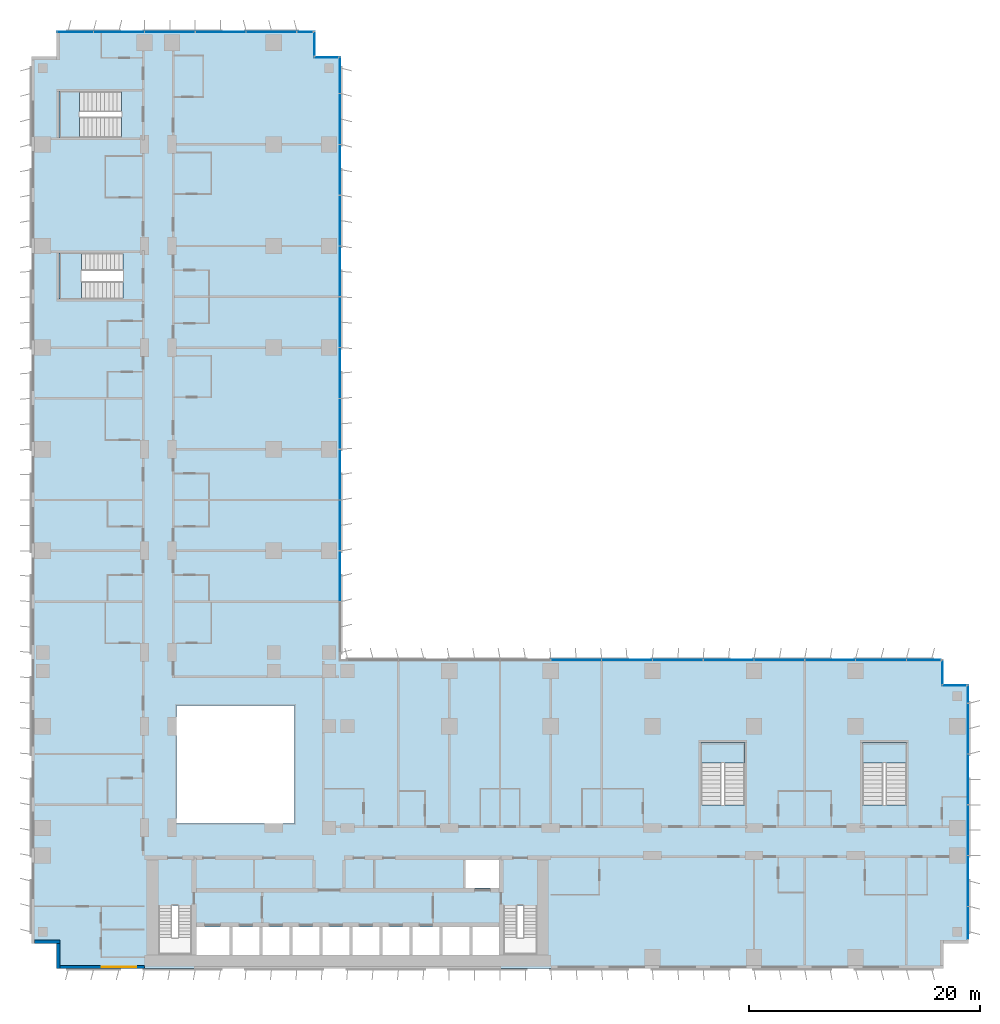
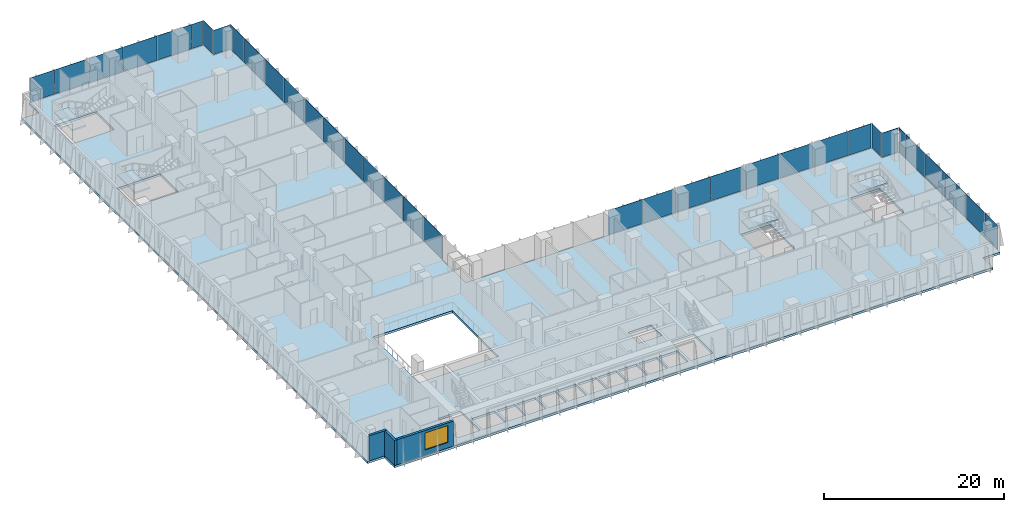
# One storey, part 11 of 24: 35 plates, 5 slabs, 3 walls, 1 window, 1 opening, 12 elements without a shape of their own.
"""IFC4 building model written with IfcOpenShell, lengths in metres."""

from ifc_helpers import new_model, si_unit, direction, frame, frame_2d, origin, origin_2d, place, context, subcontext, project, spatial, polyline, rectangle, outline, extrude, source, transform, mapped, material, layer, layer_set, type_object, element, fill, aggregate, save


model = new_model("IFC4")

# Units and contexts
model_context = context("Model", 3, precision=1e-05, world=origin(), true_north=direction((0.0, 1.0)))
body_context = subcontext(model_context, "Body", "Model", "MODEL_VIEW")
ifc_project = project(units=[si_unit("LENGTHUNIT", "METRE"), si_unit("AREAUNIT", "SQUARE_METRE"), si_unit("VOLUMEUNIT", "CUBIC_METRE"), si_unit("PLANEANGLEUNIT", "RADIAN"), si_unit("MASSUNIT", "GRAM", prefix="KILO")], contexts=[model_context])

# Site, building, storey
site_placement = place(None, origin())
site = spatial("IfcSite", under=ifc_project, at=site_placement, CompositionType="ELEMENT")
building_placement = place(site_placement, origin())
building = spatial("IfcBuilding", under=site, at=building_placement, Name="Kemantara Hotel Tower", CompositionType="ELEMENT")
storey_placement = place(building_placement, frame((0.0, 0.0, 63.60009765625)))
storey = spatial("IfcBuildingStorey", under=building, at=storey_placement, Name="L14", CompositionType="ELEMENT", Elevation=63.60009765625)

# Slab
ifc_material_1 = material(Name="Concrete fc 40 MPa", Category="concrete")
ifc_layer_1 = layer(ifc_material_1, 0.300048828125)
ifc_layer_set_1 = layer_set([ifc_layer_1], Name="Concrete fc 40 MPa")
slab_type_1 = type_object("IfcSlabType", Name="POST-TENSIONED FLAT PLATE 300", PredefinedType="FLOOR", material=ifc_layer_set_1)
slab_1_placement = place(storey_placement, frame((0.0, 0.0, -0.300048828125)))
element("IfcSlab", 1, at=slab_1_placement, inside=storey, type_object=slab_type_1, Name="FLOOR SLAB L14", PredefinedType="FLOOR", context=body_context, shape_type="SweptSolid", body=[
    extrude(outline(polyline([(0.0, 2.199951171875), (2.199951171875, 2.199951171875), (2.199951171875, 0.0), (79.0, 0.0), (79.0, 2.199951171875), (81.199951171875, 2.199951171875), (81.199951171875, 24.60009765625), (79.0, 24.60009765625), (79.0, 26.800048828125), (26.800048828125, 26.800048828125), (26.800048828125, 79.0), (24.60009765625, 79.0), (24.60009765625, 81.199951171875), (2.199951171875, 81.199951171875), (2.199951171875, 79.0), (0.0, 79.0), (0.0, 2.199951171875)]), holes=[polyline([(17.175048828125, 1.199951171875), (14.22509765625, 1.199951171875), (14.22509765625, 3.60009765625), (17.175048828125, 3.60009765625), (17.175048828125, 1.199951171875)]), polyline([(19.77490234375, 1.199951171875), (17.425048828125, 1.199951171875), (17.425048828125, 3.60009765625), (19.77490234375, 3.60009765625), (19.77490234375, 1.199951171875)]), polyline([(22.375, 1.199951171875), (20.02490234375, 1.199951171875), (20.02490234375, 3.60009765625), (22.375, 3.60009765625), (22.375, 1.199951171875)]), polyline([(24.97509765625, 1.199951171875), (22.625, 1.199951171875), (22.625, 3.60009765625), (24.97509765625, 3.60009765625), (24.97509765625, 1.199951171875)]), polyline([(27.574951171875, 1.199951171875), (25.22509765625, 1.199951171875), (25.22509765625, 3.60009765625), (27.574951171875, 3.60009765625), (27.574951171875, 1.199951171875)]), polyline([(11.0, 1.199951171875), (11.0, 5.49951171875), (13.89990234375, 5.49951171875), (13.89990234375, 1.199951171875), (11.0, 1.199951171875)]), polyline([(22.800048828125, 12.60009765625), (12.60009765625, 12.60009765625), (12.60009765625, 22.800048828125), (22.800048828125, 22.800048828125), (22.800048828125, 12.60009765625)]), polyline([(7.949462890625, 62.0), (7.949462890625, 58.0), (2.39990234375, 58.0), (2.39990234375, 62.0), (7.949462890625, 62.0)]), polyline([(7.79931640625, 76.0), (7.79931640625, 72.0), (2.39990234375, 72.0), (2.39990234375, 76.0), (7.79931640625, 76.0)]), polyline([(30.175048828125, 1.199951171875), (27.824951171875, 1.199951171875), (27.824951171875, 3.60009765625), (30.175048828125, 3.60009765625), (30.175048828125, 1.199951171875)]), polyline([(32.77490234375, 1.199951171875), (30.425048828125, 1.199951171875), (30.425048828125, 3.60009765625), (32.77490234375, 3.60009765625), (32.77490234375, 1.199951171875)]), polyline([(35.375, 1.199951171875), (33.02490234375, 1.199951171875), (33.02490234375, 3.60009765625), (35.375, 3.60009765625), (35.375, 1.199951171875)]), polyline([(37.97509765625, 1.199951171875), (35.625, 1.199951171875), (35.625, 3.60009765625), (37.97509765625, 3.60009765625), (37.97509765625, 1.199951171875)]), polyline([(40.574951171875, 1.199951171875), (38.22509765625, 1.199951171875), (38.22509765625, 3.60009765625), (40.574951171875, 3.60009765625), (40.574951171875, 1.199951171875)]), polyline([(40.89990234375, 1.199951171875), (40.89990234375, 5.49951171875), (43.800048828125, 5.49951171875), (43.800048828125, 1.199951171875), (40.89990234375, 1.199951171875)]), polyline([(40.574951171875, 7.0), (37.625, 7.0), (37.625, 9.39990234375), (40.574951171875, 9.39990234375), (40.574951171875, 7.0)]), polyline([(61.800048828125, 14.20068359375), (58.0, 14.20068359375), (58.0, 19.60009765625), (61.800048828125, 19.60009765625), (61.800048828125, 14.20068359375)]), polyline([(75.800048828125, 14.20068359375), (72.0, 14.20068359375), (72.0, 19.60009765625), (75.800048828125, 19.60009765625), (75.800048828125, 14.20068359375)])]), origin(), (0.0, 0.0, 1.0), 0.300048828125),
])

# Stair, slab
stair_type_1 = type_object("IfcStairType", Name="Stair 1800 wide 22 risers of 168 x 360 mm", PredefinedType="HALF_TURN_STAIR", material=ifc_material_1)
stair_1_placement = place(storey_placement, origin())
stair_1 = element("IfcStair", 2, at=stair_1_placement, inside=storey, type_object=stair_type_1, Name="L14 Exit stair ST3", PredefinedType="HALF_TURN_STAIR")
ifc_layer_2 = layer(ifc_material_1, 0.199951171875)
ifc_layer_set_2 = layer_set([ifc_layer_2], Name="Concrete fc 40 MPa")
slab_type_2 = type_object("IfcSlabType", Name="Stair landing 200 mm", PredefinedType="LANDING", material=ifc_layer_set_2)
slab_2_placement = place(storey_placement, frame((0.0, 0.0, 1.64990234375)))
slab_2 = element("IfcSlab", 3, at=slab_2_placement, type_object=slab_type_2, Name="ST3 landing 1", PredefinedType="LANDING", context=body_context, shape_type="SweptSolid", body=[
    extrude(outline(polyline([(61.800048828125, 17.800048828125), (61.800048828125, 19.60009765625), (58.0, 19.60009765625), (58.0, 17.800048828125), (61.800048828125, 17.800048828125)])), origin(), (0.0, 0.0, 1.0), 0.199951171875),
])
aggregate(stair_1, [slab_2])

stair_type_2 = type_object("IfcStairType", Name="Stair 1550 wide 22 risers of 168 x 360 mm", PredefinedType="HALF_TURN_STAIR", material=ifc_material_1)
stair_2_placement = place(storey_placement, origin())
stair_2 = element("IfcStair", 4, at=stair_2_placement, inside=storey, type_object=stair_type_2, Name="L14 Exit stair ST4", PredefinedType="HALF_TURN_STAIR")
slab_3_placement = place(storey_placement, frame((0.0, 0.0, 1.64990234375)))
slab_3 = element("IfcSlab", 5, at=slab_3_placement, type_object=slab_type_2, Name="ST4 landing 1", PredefinedType="LANDING", context=body_context, shape_type="SweptSolid", body=[
    extrude(outline(polyline([(4.35009765625, 62.0), (2.39990234375, 62.0), (2.39990234375, 58.0), (4.35009765625, 58.0), (4.35009765625, 62.0)])), origin(), (0.0, 0.0, 1.0), 0.199951171875),
])
aggregate(stair_2, [slab_3])

stair_3_placement = place(storey_placement, origin())
stair_3 = element("IfcStair", 6, at=stair_3_placement, inside=storey, type_object=stair_type_1, Name="L14 Exit stair ST5", PredefinedType="HALF_TURN_STAIR")
slab_4_placement = place(storey_placement, frame((0.0, 0.0, 1.64990234375)))
slab_4 = element("IfcSlab", 7, at=slab_4_placement, type_object=slab_type_2, Name="ST5 landing 1", PredefinedType="LANDING", context=body_context, shape_type="SweptSolid", body=[
    extrude(outline(polyline([(75.800048828125, 17.800048828125), (75.800048828125, 19.60009765625), (72.0, 19.60009765625), (72.0, 17.800048828125), (75.800048828125, 17.800048828125)])), origin(), (0.0, 0.0, 1.0), 0.199951171875),
])
aggregate(stair_3, [slab_4])

stair_4_placement = place(storey_placement, origin())
stair_4 = element("IfcStair", 8, at=stair_4_placement, inside=storey, type_object=stair_type_1, Name="L14 Exit stair ST6", PredefinedType="HALF_TURN_STAIR")
slab_5_placement = place(storey_placement, frame((0.0, 0.0, 1.64990234375)))
slab_5 = element("IfcSlab", 9, at=slab_5_placement, type_object=slab_type_2, Name="ST6 landing 1", PredefinedType="LANDING", context=body_context, shape_type="SweptSolid", body=[
    extrude(outline(polyline([(4.199951171875, 76.0), (2.39990234375, 76.0), (2.39990234375, 72.0), (4.199951171875, 72.0), (4.199951171875, 76.0)])), origin(), (0.0, 0.0, 1.0), 0.199951171875),
])
aggregate(stair_4, [slab_5])

# Curtain wall, plates
ifc_material_2 = material(Name="Low-E tinted double insulated glass 36 mm", Category="glass")
curtain_wall_type = type_object("IfcCurtainWallType", Name="TOWER CURTAIN WALL, FRONT FACES", PredefinedType="USERDEFINED", material=ifc_material_2)
curtain_wall_1_placement = place(storey_placement, origin())
curtain_wall_1 = element("IfcCurtainWall", 10, at=curtain_wall_1_placement, inside=storey, type_object=curtain_wall_type, Name="CW4 L14 T1-R04-1", ObjectType="TOWER CURTAIN WALL, FRONT FACES", PredefinedType="USERDEFINED")
ifc_layer_3 = layer(ifc_material_2, 0.035888671875)
ifc_layer_set_3 = layer_set([ifc_layer_3], Name="Low-E tinted double insulated glass 36 mm")
plate_type = type_object("IfcPlateType", Name="TOWER CURTAIN WALL, FRONT FACES PANEL", PredefinedType="CURTAIN_PANEL", material=ifc_layer_set_3)
shared_shape_1 = source(origin(), body_context, "Body", "SweptSolid", [
    extrude(rectangle(XDim=2.81005859375, YDim=0.035888671875, at=origin_2d()), origin(), (0.0, 0.0, 1.0), 3.280029296875),
])
plate_1_placement = place(storey_placement, frame((81.125, 3.965087890625, 0.1201171875), z_axis=(0.0, 0.0, 1.0), x_axis=(0.0, 1.0, 0.0)))
plate_1 = element("IfcPlate", 11, at=plate_1_placement, type_object=plate_type, Name="CW4 glass panel T1-R04-1.1", PredefinedType="CURTAIN_PANEL", context=body_context, shape_type="MappedRepresentation", body=[
    mapped(shared_shape_1, transform((0.0, 0.0, 0.0))),
])
shared_shape_2 = source(origin(), body_context, "Body", "SweptSolid", [
    extrude(rectangle(XDim=4.340087890625, YDim=0.035888671875, at=origin_2d()), origin(), (0.0, 0.0, 1.0), 3.280029296875),
])
plate_2_placement = place(storey_placement, frame((81.125, 7.60009765625, 0.1201171875), z_axis=(0.0, 0.0, 1.0), x_axis=(0.0, 1.0, 0.0)))
plate_2 = element("IfcPlate", 12, at=plate_2_placement, type_object=plate_type, Name="CW4 glass panel T1-R04-1.2", PredefinedType="CURTAIN_PANEL", context=body_context, shape_type="MappedRepresentation", body=[
    mapped(shared_shape_2, transform((0.0, 0.0, 0.0))),
])
plate_3_placement = place(storey_placement, frame((81.125, 12.0, 0.1201171875), z_axis=(0.0, 0.0, 1.0), x_axis=(0.0, 1.0, 0.0)))
plate_3 = element("IfcPlate", 13, at=plate_3_placement, type_object=plate_type, Name="CW4 glass panel T1-R04-1.3", PredefinedType="CURTAIN_PANEL", context=body_context, shape_type="MappedRepresentation", body=[
    mapped(shared_shape_2, transform((0.0, 0.0, 0.0))),
])
plate_4_placement = place(storey_placement, frame((81.125, 16.39990234375, 0.1201171875), z_axis=(0.0, 0.0, 1.0), x_axis=(0.0, 1.0, 0.0)))
plate_4 = element("IfcPlate", 14, at=plate_4_placement, type_object=plate_type, Name="CW4 glass panel T1-R04-1.4", PredefinedType="CURTAIN_PANEL", context=body_context, shape_type="MappedRepresentation", body=[
    mapped(shared_shape_2, transform((0.0, 0.0, 0.0))),
])
plate_5_placement = place(storey_placement, frame((81.125, 20.800048828125, 0.1201171875), z_axis=(0.0, 0.0, 1.0), x_axis=(0.0, 1.0, 0.0)))
plate_5 = element("IfcPlate", 15, at=plate_5_placement, type_object=plate_type, Name="CW4 glass panel T1-R04-1.5", PredefinedType="CURTAIN_PANEL", context=body_context, shape_type="MappedRepresentation", body=[
    mapped(shared_shape_2, transform((0.0, 0.0, 0.0))),
])

curtain_wall_2_placement = place(storey_placement, origin())
curtain_wall_2 = element("IfcCurtainWall", 16, at=curtain_wall_2_placement, inside=storey, type_object=curtain_wall_type, Name="CW4 L14 T1-R07-1", ObjectType="TOWER CURTAIN WALL, FRONT FACES", PredefinedType="USERDEFINED")
plate_6_placement = place(storey_placement, frame((73.60009765625, 26.72509765625, 0.1201171875), z_axis=(0.0, 0.0, 1.0), x_axis=(-1.0, 0.0, 0.0)))
plate_6 = element("IfcPlate", 17, at=plate_6_placement, type_object=plate_type, Name="CW4 glass panel T1-R07-1.2", PredefinedType="CURTAIN_PANEL", context=body_context, shape_type="MappedRepresentation", body=[
    mapped(shared_shape_2, transform((0.0, 0.0, 0.0))),
])
plate_7_placement = place(storey_placement, frame((69.199951171875, 26.72509765625, 0.1201171875), z_axis=(0.0, 0.0, 1.0), x_axis=(-1.0, 0.0, 0.0)))
plate_7 = element("IfcPlate", 18, at=plate_7_placement, type_object=plate_type, Name="CW4 glass panel T1-R07-1.3", PredefinedType="CURTAIN_PANEL", context=body_context, shape_type="MappedRepresentation", body=[
    mapped(shared_shape_2, transform((0.0, 0.0, 0.0))),
])
plate_8_placement = place(storey_placement, frame((64.800048828125, 26.72509765625, 0.1201171875), z_axis=(0.0, 0.0, 1.0), x_axis=(-1.0, 0.0, 0.0)))
plate_8 = element("IfcPlate", 19, at=plate_8_placement, type_object=plate_type, Name="CW4 glass panel T1-R07-1.4", PredefinedType="CURTAIN_PANEL", context=body_context, shape_type="MappedRepresentation", body=[
    mapped(shared_shape_2, transform((0.0, 0.0, 0.0))),
])
plate_9_placement = place(storey_placement, frame((60.39990234375, 26.72509765625, 0.1201171875), z_axis=(0.0, 0.0, 1.0), x_axis=(-1.0, 0.0, 0.0)))
plate_9 = element("IfcPlate", 20, at=plate_9_placement, type_object=plate_type, Name="CW4 glass panel T1-R07-1.5", PredefinedType="CURTAIN_PANEL", context=body_context, shape_type="MappedRepresentation", body=[
    mapped(shared_shape_2, transform((0.0, 0.0, 0.0))),
])
plate_10_placement = place(storey_placement, frame((56.0, 26.72509765625, 0.1201171875), z_axis=(0.0, 0.0, 1.0), x_axis=(-1.0, 0.0, 0.0)))
plate_10 = element("IfcPlate", 21, at=plate_10_placement, type_object=plate_type, Name="CW4 glass panel T1-R07-1.6", PredefinedType="CURTAIN_PANEL", context=body_context, shape_type="MappedRepresentation", body=[
    mapped(shared_shape_2, transform((0.0, 0.0, 0.0))),
])
plate_11_placement = place(storey_placement, frame((51.60009765625, 26.72509765625, 0.1201171875), z_axis=(0.0, 0.0, 1.0), x_axis=(-1.0, 0.0, 0.0)))
plate_11 = element("IfcPlate", 22, at=plate_11_placement, type_object=plate_type, Name="CW4 glass panel T1-R07-1.7", PredefinedType="CURTAIN_PANEL", context=body_context, shape_type="MappedRepresentation", body=[
    mapped(shared_shape_2, transform((0.0, 0.0, 0.0))),
])
plate_12_placement = place(storey_placement, frame((47.199951171875, 26.72509765625, 0.1201171875), z_axis=(0.0, 0.0, 1.0), x_axis=(-1.0, 0.0, 0.0)))
plate_12 = element("IfcPlate", 23, at=plate_12_placement, type_object=plate_type, Name="CW4 glass panel T1-R07-1.8", PredefinedType="CURTAIN_PANEL", context=body_context, shape_type="MappedRepresentation", body=[
    mapped(shared_shape_2, transform((0.0, 0.0, 0.0))),
])

curtain_wall_3_placement = place(storey_placement, origin())
curtain_wall_3 = element("IfcCurtainWall", 24, at=curtain_wall_3_placement, inside=storey, type_object=curtain_wall_type, Name="CW4 L14 T1-R08-1", ObjectType="TOWER CURTAIN WALL, FRONT FACES", PredefinedType="USERDEFINED")
plate_13_placement = place(storey_placement, frame((26.72509765625, 34.0, 0.1201171875), z_axis=(0.0, 0.0, 1.0), x_axis=(0.0, 1.0, 0.0)))
plate_13 = element("IfcPlate", 25, at=plate_13_placement, type_object=plate_type, Name="CW4 glass panel T1-R08-1.3", PredefinedType="CURTAIN_PANEL", context=body_context, shape_type="MappedRepresentation", body=[
    mapped(shared_shape_2, transform((0.0, 0.0, 0.0))),
])
plate_14_placement = place(storey_placement, frame((26.72509765625, 38.39990234375, 0.1201171875), z_axis=(0.0, 0.0, 1.0), x_axis=(0.0, 1.0, 0.0)))
plate_14 = element("IfcPlate", 26, at=plate_14_placement, type_object=plate_type, Name="CW4 glass panel T1-R08-1.4", PredefinedType="CURTAIN_PANEL", context=body_context, shape_type="MappedRepresentation", body=[
    mapped(shared_shape_2, transform((0.0, 0.0, 0.0))),
])
plate_15_placement = place(storey_placement, frame((26.72509765625, 42.800048828125, 0.1201171875), z_axis=(0.0, 0.0, 1.0), x_axis=(0.0, 1.0, 0.0)))
plate_15 = element("IfcPlate", 27, at=plate_15_placement, type_object=plate_type, Name="CW4 glass panel T1-R08-1.5", PredefinedType="CURTAIN_PANEL", context=body_context, shape_type="MappedRepresentation", body=[
    mapped(shared_shape_2, transform((0.0, 0.0, 0.0))),
])
plate_16_placement = place(storey_placement, frame((26.72509765625, 47.199951171875, 0.1201171875), z_axis=(0.0, 0.0, 1.0), x_axis=(0.0, 1.0, 0.0)))
plate_16 = element("IfcPlate", 28, at=plate_16_placement, type_object=plate_type, Name="CW4 glass panel T1-R08-1.6", PredefinedType="CURTAIN_PANEL", context=body_context, shape_type="MappedRepresentation", body=[
    mapped(shared_shape_2, transform((0.0, 0.0, 0.0))),
])
plate_17_placement = place(storey_placement, frame((26.72509765625, 51.60009765625, 0.1201171875), z_axis=(0.0, 0.0, 1.0), x_axis=(0.0, 1.0, 0.0)))
plate_17 = element("IfcPlate", 29, at=plate_17_placement, type_object=plate_type, Name="CW4 glass panel T1-R08-1.7", PredefinedType="CURTAIN_PANEL", context=body_context, shape_type="MappedRepresentation", body=[
    mapped(shared_shape_2, transform((0.0, 0.0, 0.0))),
])
plate_18_placement = place(storey_placement, frame((26.72509765625, 56.0, 0.1201171875), z_axis=(0.0, 0.0, 1.0), x_axis=(0.0, 1.0, 0.0)))
plate_18 = element("IfcPlate", 30, at=plate_18_placement, type_object=plate_type, Name="CW4 glass panel T1-R08-1.8", PredefinedType="CURTAIN_PANEL", context=body_context, shape_type="MappedRepresentation", body=[
    mapped(shared_shape_2, transform((0.0, 0.0, 0.0))),
])
plate_19_placement = place(storey_placement, frame((26.72509765625, 60.39990234375, 0.1201171875), z_axis=(0.0, 0.0, 1.0), x_axis=(0.0, 1.0, 0.0)))
plate_19 = element("IfcPlate", 31, at=plate_19_placement, type_object=plate_type, Name="CW4 glass panel T1-R08-1.9", PredefinedType="CURTAIN_PANEL", context=body_context, shape_type="MappedRepresentation", body=[
    mapped(shared_shape_2, transform((0.0, 0.0, 0.0))),
])
plate_20_placement = place(storey_placement, frame((26.72509765625, 64.800048828125, 0.1201171875), z_axis=(0.0, 0.0, 1.0), x_axis=(0.0, 1.0, 0.0)))
plate_20 = element("IfcPlate", 32, at=plate_20_placement, type_object=plate_type, Name="CW4 glass panel T1-R08-1.10", PredefinedType="CURTAIN_PANEL", context=body_context, shape_type="MappedRepresentation", body=[
    mapped(shared_shape_2, transform((0.0, 0.0, 0.0))),
])
plate_21_placement = place(storey_placement, frame((26.72509765625, 69.199951171875, 0.1201171875), z_axis=(0.0, 0.0, 1.0), x_axis=(0.0, 1.0, 0.0)))
plate_21 = element("IfcPlate", 33, at=plate_21_placement, type_object=plate_type, Name="CW4 glass panel T1-R08-1.11", PredefinedType="CURTAIN_PANEL", context=body_context, shape_type="MappedRepresentation", body=[
    mapped(shared_shape_2, transform((0.0, 0.0, 0.0))),
])
plate_22_placement = place(storey_placement, frame((26.72509765625, 73.60009765625, 0.1201171875), z_axis=(0.0, 0.0, 1.0), x_axis=(0.0, 1.0, 0.0)))
plate_22 = element("IfcPlate", 34, at=plate_22_placement, type_object=plate_type, Name="CW4 glass panel T1-R08-1.12", PredefinedType="CURTAIN_PANEL", context=body_context, shape_type="MappedRepresentation", body=[
    mapped(shared_shape_2, transform((0.0, 0.0, 0.0))),
])

curtain_wall_4_placement = place(storey_placement, origin())
curtain_wall_4 = element("IfcCurtainWall", 35, at=curtain_wall_4_placement, inside=storey, type_object=curtain_wall_type, Name="CW4 L14 T1-R11-1", ObjectType="TOWER CURTAIN WALL, FRONT FACES", PredefinedType="USERDEFINED")
plate_23_placement = place(storey_placement, frame((20.800048828125, 81.125, 0.1201171875), z_axis=(0.0, 0.0, 1.0), x_axis=(-1.0, 0.0, 0.0)))
plate_23 = element("IfcPlate", 36, at=plate_23_placement, type_object=plate_type, Name="CW4 glass panel T1-R11-1.2", PredefinedType="CURTAIN_PANEL", context=body_context, shape_type="MappedRepresentation", body=[
    mapped(shared_shape_2, transform((0.0, 0.0, 0.0))),
])
plate_24_placement = place(storey_placement, frame((16.39990234375, 81.125, 0.1201171875), z_axis=(0.0, 0.0, 1.0), x_axis=(-1.0, 0.0, 0.0)))
plate_24 = element("IfcPlate", 37, at=plate_24_placement, type_object=plate_type, Name="CW4 glass panel T1-R11-1.3", PredefinedType="CURTAIN_PANEL", context=body_context, shape_type="MappedRepresentation", body=[
    mapped(shared_shape_2, transform((0.0, 0.0, 0.0))),
])
plate_25_placement = place(storey_placement, frame((12.0, 81.125, 0.1201171875), z_axis=(0.0, 0.0, 1.0), x_axis=(-1.0, 0.0, 0.0)))
plate_25 = element("IfcPlate", 38, at=plate_25_placement, type_object=plate_type, Name="CW4 glass panel T1-R11-1.4", PredefinedType="CURTAIN_PANEL", context=body_context, shape_type="MappedRepresentation", body=[
    mapped(shared_shape_2, transform((0.0, 0.0, 0.0))),
])
plate_26_placement = place(storey_placement, frame((7.60009765625, 81.125, 0.1201171875), z_axis=(0.0, 0.0, 1.0), x_axis=(-1.0, 0.0, 0.0)))
plate_26 = element("IfcPlate", 39, at=plate_26_placement, type_object=plate_type, Name="CW4 glass panel T1-R11-1.5", PredefinedType="CURTAIN_PANEL", context=body_context, shape_type="MappedRepresentation", body=[
    mapped(shared_shape_2, transform((0.0, 0.0, 0.0))),
])

# Plate
shared_shape_3 = source(origin(), body_context, "Body", "SweptSolid", [
    extrude(rectangle(XDim=1.510009765625, YDim=0.035888671875, at=origin_2d()), origin(), (0.0, 0.0, 1.0), 3.280029296875),
])
plate_27_placement = place(storey_placement, frame((81.125, 23.784912109375, 0.1201171875), z_axis=(0.0, 0.0, 1.0), x_axis=(0.0, 1.0, 0.0)))
plate_27 = element("IfcPlate", 40, at=plate_27_placement, type_object=plate_type, Name="CW4 glass panel T1-R04-1.6", PredefinedType="CURTAIN_PANEL", context=body_context, shape_type="MappedRepresentation", body=[
    mapped(shared_shape_3, transform((0.0, 0.0, 0.0))),
])

aggregate(curtain_wall_1, [plate_1, plate_2, plate_3, plate_4, plate_5, plate_27])

shared_shape_4 = source(origin(), body_context, "Body", "SweptSolid", [
    extrude(rectangle(XDim=1.360107421875, YDim=0.035888671875, at=origin_2d()), origin(), (0.0, 0.0, 1.0), 3.280029296875),
])
plate_28_placement = place(storey_placement, frame((23.7099609375, 81.125, 0.1201171875), z_axis=(0.0, 0.0, 1.0), x_axis=(-1.0, 0.0, 0.0)))
plate_28 = element("IfcPlate", 41, at=plate_28_placement, type_object=plate_type, Name="CW4 glass panel T1-R11-1.1", PredefinedType="CURTAIN_PANEL", context=body_context, shape_type="MappedRepresentation", body=[
    mapped(shared_shape_4, transform((0.0, 0.0, 0.0))),
])

shared_shape_5 = source(origin(), body_context, "Body", "SweptSolid", [
    extrude(rectangle(XDim=3.110107421875, YDim=0.035888671875, at=origin_2d()), origin(), (0.0, 0.0, 1.0), 3.280029296875),
])
plate_29_placement = place(storey_placement, frame((26.72509765625, 77.385009765625, 0.1201171875), z_axis=(0.0, 0.0, 1.0), x_axis=(0.0, 1.0, 0.0)))
plate_29 = element("IfcPlate", 42, at=plate_29_placement, type_object=plate_type, Name="CW4 glass panel T1-R08-1.13", PredefinedType="CURTAIN_PANEL", context=body_context, shape_type="MappedRepresentation", body=[
    mapped(shared_shape_5, transform((0.0, 0.0, 0.0))),
])

aggregate(curtain_wall_3, [plate_13, plate_14, plate_15, plate_16, plate_17, plate_18, plate_19, plate_20, plate_21, plate_22, plate_29])

plate_30_placement = place(storey_placement, frame((3.81494140625, 81.125, 0.1201171875), z_axis=(0.0, 0.0, 1.0), x_axis=(-1.0, 0.0, 0.0)))
plate_30 = element("IfcPlate", 43, at=plate_30_placement, type_object=plate_type, Name="CW4 glass panel T1-R11-1.6", PredefinedType="CURTAIN_PANEL", context=body_context, shape_type="MappedRepresentation", body=[
    mapped(shared_shape_5, transform((0.0, 0.0, 0.0))),
])

aggregate(curtain_wall_4, [plate_28, plate_23, plate_24, plate_25, plate_26, plate_30])

# Curtain wall, plate
curtain_wall_5_placement = place(storey_placement, origin())
curtain_wall_5 = element("IfcCurtainWall", 44, at=curtain_wall_5_placement, inside=storey, type_object=curtain_wall_type, Name="CW4 L14 T1-R05-1", ObjectType="TOWER CURTAIN WALL, FRONT FACES", PredefinedType="USERDEFINED")
shared_shape_6 = source(origin(), body_context, "Body", "SweptSolid", [
    extrude(rectangle(XDim=2.080078125, YDim=0.035888671875, at=origin_2d()), origin(), (0.0, 0.0, 1.0), 3.280029296875),
])
plate_31_placement = place(storey_placement, frame((79.949951171875, 24.52490234375, 0.1201171875), z_axis=(0.0, 0.0, 1.0), x_axis=(-1.0, 0.0, 0.0)))
plate_31 = element("IfcPlate", 45, at=plate_31_placement, type_object=plate_type, Name="CW4 glass panel T1-R05-1.1", PredefinedType="CURTAIN_PANEL", context=body_context, shape_type="MappedRepresentation", body=[
    mapped(shared_shape_6, transform((0.0, 0.0, 0.0))),
])
aggregate(curtain_wall_5, [plate_31])

curtain_wall_6_placement = place(storey_placement, origin())
curtain_wall_6 = element("IfcCurtainWall", 46, at=curtain_wall_6_placement, inside=storey, type_object=curtain_wall_type, Name="CW4 L14 T1-R06-1", ObjectType="TOWER CURTAIN WALL, FRONT FACES", PredefinedType="USERDEFINED")
plate_32_placement = place(storey_placement, frame((78.925048828125, 25.699951171875, 0.1201171875), z_axis=(0.0, 0.0, 1.0), x_axis=(0.0, 1.0, 0.0)))
plate_32 = element("IfcPlate", 47, at=plate_32_placement, type_object=plate_type, Name="CW4 glass panel T1-R06-1.1", PredefinedType="CURTAIN_PANEL", context=body_context, shape_type="MappedRepresentation", body=[
    mapped(shared_shape_6, transform((0.0, 0.0, 0.0))),
])
aggregate(curtain_wall_6, [plate_32])

curtain_wall_7_placement = place(storey_placement, origin())
curtain_wall_7 = element("IfcCurtainWall", 48, at=curtain_wall_7_placement, inside=storey, type_object=curtain_wall_type, Name="CW4 L14 T1-R09-1", ObjectType="TOWER CURTAIN WALL, FRONT FACES", PredefinedType="USERDEFINED")
plate_33_placement = place(storey_placement, frame((25.550048828125, 78.925048828125, 0.1201171875), z_axis=(0.0, 0.0, 1.0), x_axis=(-1.0, 0.0, 0.0)))
plate_33 = element("IfcPlate", 49, at=plate_33_placement, type_object=plate_type, Name="CW4 glass panel T1-R09-1.1", PredefinedType="CURTAIN_PANEL", context=body_context, shape_type="MappedRepresentation", body=[
    mapped(shared_shape_6, transform((0.0, 0.0, 0.0))),
])
aggregate(curtain_wall_7, [plate_33])

curtain_wall_8_placement = place(storey_placement, origin())
curtain_wall_8 = element("IfcCurtainWall", 50, at=curtain_wall_8_placement, inside=storey, type_object=curtain_wall_type, Name="CW4 L14 T1-R10-1", ObjectType="TOWER CURTAIN WALL, FRONT FACES", PredefinedType="USERDEFINED")
plate_34_placement = place(storey_placement, frame((24.52490234375, 80.10009765625, 0.1201171875), z_axis=(0.0, 0.0, 1.0), x_axis=(0.0, 1.0, 0.0)))
plate_34 = element("IfcPlate", 51, at=plate_34_placement, type_object=plate_type, Name="CW4 glass panel T1-R10-1.1", PredefinedType="CURTAIN_PANEL", context=body_context, shape_type="MappedRepresentation", body=[
    mapped(shared_shape_6, transform((0.0, 0.0, 0.0))),
])
aggregate(curtain_wall_8, [plate_34])

# Plate
shared_shape_7 = source(origin(), body_context, "Body", "SweptSolid", [
    extrude(rectangle(XDim=2.9599609375, YDim=0.035888671875, at=origin_2d()), origin(), (0.0, 0.0, 1.0), 3.280029296875),
])
plate_35_placement = place(storey_placement, frame((77.31005859375, 26.72509765625, 0.1201171875), z_axis=(0.0, 0.0, 1.0), x_axis=(-1.0, 0.0, 0.0)))
plate_35 = element("IfcPlate", 52, at=plate_35_placement, type_object=plate_type, Name="CW4 glass panel T1-R07-1.1", PredefinedType="CURTAIN_PANEL", context=body_context, shape_type="MappedRepresentation", body=[
    mapped(shared_shape_7, transform((0.0, 0.0, 0.0))),
])

aggregate(curtain_wall_2, [plate_35, plate_6, plate_7, plate_8, plate_9, plate_10, plate_11, plate_12])

# Wall
ifc_material_3 = material(Name="Bronze anodised aluminium cladding on insulated steel stud wall", Category="steel")
ifc_layer_4 = layer(ifc_material_3, 0.300048828125)
ifc_layer_set_4 = layer_set([ifc_layer_4], Name="Bronze anodised aluminium cladding on insulated steel stud wall")
wall_type = type_object("IfcWallType", Name="BRONZE METAL-CLAD EXTERNAL WALL 300", PredefinedType="STANDARD", material=ifc_layer_set_4)
wall_1_placement = place(storey_placement, frame((2.35009765625, 2.199951171875, 0.0), z_axis=(0.0, 0.0, 1.0), x_axis=(0.0, -1.0, 0.0)))
element("IfcWall", 53, at=wall_1_placement, inside=storey, type_object=wall_type, Name="EXTERNAL WALL L14 T1-R00", PredefinedType="STANDARD", context=body_context, shape_type="SweptSolid", body=[
    extrude(rectangle(XDim=2.199951171875, YDim=0.300048828125, at=frame_2d((1.10009765625, 0.0))), origin(), (0.0, 0.0, 1.0), 3.39990234375),
])

# Wall, opening, window
wall_2_placement = place(storey_placement, frame((2.5, 0.14990234375, 0.0), z_axis=(0.0, 0.0, 1.0), x_axis=(1.0, 0.0, 0.0)))
wall_2 = element("IfcWall", 54, at=wall_2_placement, inside=storey, type_object=wall_type, Name="EXTERNAL WALL L14 T1-R01", PredefinedType="STANDARD", context=body_context, shape_type="SweptSolid", body=[
    extrude(rectangle(XDim=7.300048828125, YDim=0.300048828125, at=frame_2d((3.64990234375, 0.0))), origin(), (0.0, 0.0, 1.0), 3.39990234375),
])
opening_placement = place(wall_2_placement, frame((3.60009765625, 0.0, 0.75)))
opening = element("IfcOpeningElement", 55, at=opening_placement, cuts=wall_2, Name="Opening W1", PredefinedType="OPENING", context=body_context, shape_type="SweptSolid", body=[
    extrude(rectangle(XDim=3.0, YDim=2.300048828125, at=frame_2d((1.5, 1.14990234375))), frame((0.0, 0.159912109375, 0.0), z_axis=(0.0, -1.0, 0.0), x_axis=(1.0, 0.0, 0.0)), (0.0, 0.0, 1.0), 0.320068359375),
])
ifc_material_4 = material(Name="Low-E tinted double insulated glass in bronze anodised aluminium frame", Category="aluminium")
window_type = type_object("IfcWindowType", Name="CHICAGO WINDOW, TRIPLE PANEL 3000x2300", PartitioningType="TRIPLE_PANEL_VERTICAL", PredefinedType="WINDOW", material=ifc_material_4)
window_placement = place(opening_placement, origin())
window = element("IfcWindow", 56, at=window_placement, inside=storey, type_object=window_type, Name="CHICAGO WINDOW L14 T1-R01-54", OverallHeight=2.300048828125, OverallWidth=3.0, PartitioningType="SINGLE_PANEL", PredefinedType="WINDOW", context=body_context, shape_type="SweptSolid", body=[
    extrude(rectangle(XDim=3.0, YDim=2.300048828125, at=frame_2d((1.5, 1.14990234375))), frame((0.0, 0.030029296875, 0.0), z_axis=(0.0, -1.0, 0.0), x_axis=(1.0, 0.0, 0.0)), (0.0, 0.0, 1.0), 0.06005859375),
])
fill(opening, window)

# Wall
wall_3_placement = place(storey_placement, frame((0.300048828125, 2.35009765625, 0.0), z_axis=(0.0, 0.0, 1.0), x_axis=(1.0, 0.0, 0.0)))
element("IfcWall", 57, at=wall_3_placement, inside=storey, type_object=wall_type, Name="EXTERNAL WALL L14 T1-R15", PredefinedType="STANDARD", context=body_context, shape_type="SweptSolid", body=[
    extrude(rectangle(XDim=2.199951171875, YDim=0.300048828125, at=frame_2d((1.10009765625, 0.0))), origin(), (0.0, 0.0, 1.0), 3.39990234375),
])

save(model, "model.ifc")
